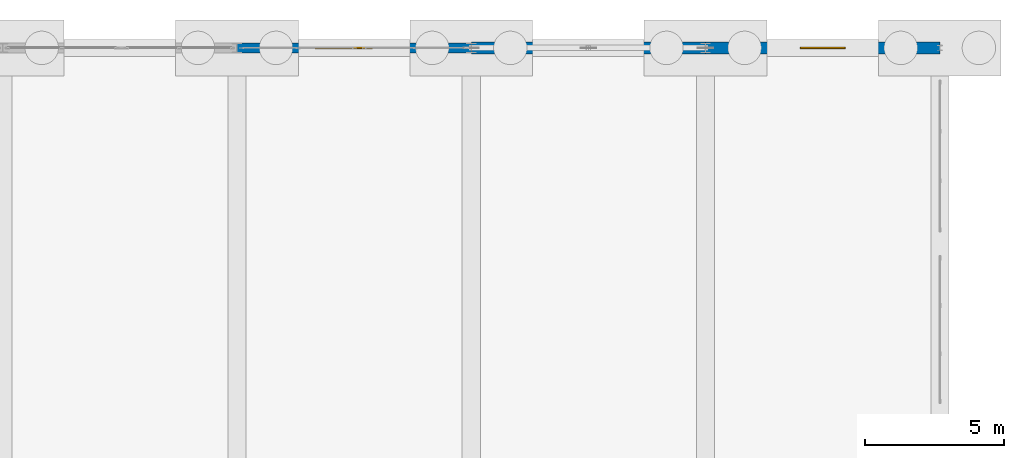
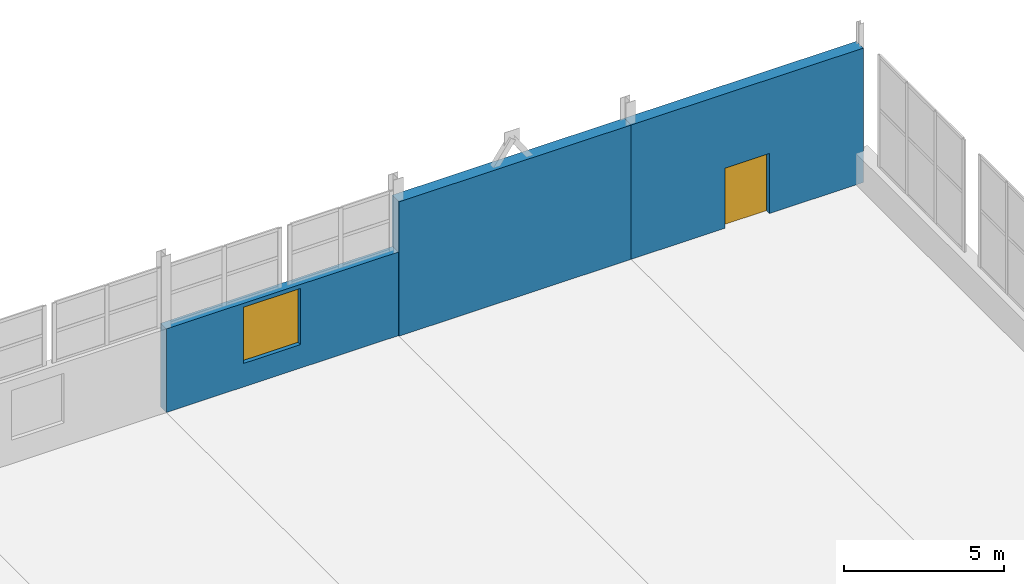
# One storey, part 131 of 139: 3 walls, 1 door, 1 window, 2 openings.
"""IFC4 building model written with IfcOpenShell, lengths in metres."""

from ifc_helpers import new_model, si_unit, direction, frame, frame_2d, origin, place, context, subcontext, project, spatial, rectangle, extrude, material, layer, layer_set, type_object, element, fill, save


model = new_model("IFC4")

# Units and contexts
model_context = context("Model", 3, precision=1e-05, world=origin(), true_north=direction((0.0, 1.0)))
body_context = subcontext(model_context, "Body", "Model", "MODEL_VIEW")
ifc_project = project(units=[si_unit("LENGTHUNIT", "METRE"), si_unit("AREAUNIT", "SQUARE_METRE"), si_unit("VOLUMEUNIT", "CUBIC_METRE"), si_unit("PLANEANGLEUNIT", "RADIAN"), si_unit("MASSUNIT", "GRAM", prefix="KILO")], contexts=[model_context])

# Site, building, storey
site_placement = place(None, origin())
site = spatial("IfcSite", under=ifc_project, at=site_placement, CompositionType="ELEMENT")
building_placement = place(site_placement, origin())
building = spatial("IfcBuilding", under=site, at=building_placement, Name="Kazenagashi Tramway Depot", CompositionType="ELEMENT")
storey_placement = place(building_placement, origin())
storey = spatial("IfcBuildingStorey", under=building, at=storey_placement, Name="L01", CompositionType="ELEMENT", Elevation=0.0)

# Wall
ifc_material_1 = material(Name="Clay Brick Masonry JIS R 1250 Class 1 (20 MPa)", Category="masonry")
ifc_layer_1 = layer(ifc_material_1, 0.43)
ifc_layer_set_1 = layer_set([ifc_layer_1], Name="Clay Brick Masonry JIS R 1250 Class 1 (20 MPa)")
wall_type_1 = type_object("IfcWallType", Name="W-BK1", PredefinedType="SOLIDWALL", material=ifc_layer_set_1)
wall_1_placement = place(storey_placement, frame((179.2, 130.0, 0.0), z_axis=(0.0, 0.0, 1.0), x_axis=(1.0, 0.0, 0.0)))
element("IfcWall", 1, at=wall_1_placement, inside=storey, type_object=wall_type_1, Name="Exterior Brick Wall W-BK1 EWALL-0047", PredefinedType="SOLIDWALL", context=body_context, shape_type="SweptSolid", body=[
    extrude(rectangle(XDim=8.4, YDim=0.43, at=frame_2d((4.2, 0.0))), origin(), (0.0, 0.0, 1.0), 5.14),
])

# Wall, opening, door
wall_2_placement = place(storey_placement, frame((187.6, 130.0, 0.0), z_axis=(0.0, 0.0, 1.0), x_axis=(1.0, 0.0, 0.0)))
wall_2 = element("IfcWall", 2, at=wall_2_placement, inside=storey, type_object=wall_type_1, Name="Exterior Brick Wall W-BK1 EWALL-0049", PredefinedType="SOLIDWALL", context=body_context, shape_type="SweptSolid", body=[
    extrude(rectangle(XDim=8.4, YDim=0.43, at=frame_2d((4.2, 0.0))), origin(), (0.0, 0.0, 1.0), 5.14),
])
opening_1_placement = place(wall_2_placement, frame((3.4, 0.0, 0.0)))
opening_1 = element("IfcOpeningElement", 3, at=opening_1_placement, cuts=wall_2, Name="Opening D-006", PredefinedType="OPENING", context=body_context, shape_type="SweptSolid", body=[
    extrude(rectangle(XDim=1.6, YDim=2.3, at=frame_2d((0.8, 1.15))), frame((0.0, 0.225, 0.0), z_axis=(0.0, -1.0, 0.0), x_axis=(1.0, 0.0, 0.0)), (0.0, 0.0, 1.0), 0.45),
])
ifc_material_2 = material(Name="Anodised Aluminium and Laminated Glass", Category="aluminium")
door_type = type_object("IfcDoorType", Name="DT-02", OperationType="NOTDEFINED", PredefinedType="DOOR", material=ifc_material_2)
door_placement = place(opening_1_placement, origin())
door = element("IfcDoor", 4, at=door_placement, inside=storey, type_object=door_type, Name="Stabling Shed Pedestrian Final Exit Door D-006", OperationType="DOUBLE_DOOR_SINGLE_SWING", OverallHeight=2.3, OverallWidth=1.6, PredefinedType="DOOR", context=body_context, shape_type="SweptSolid", body=[
    extrude(rectangle(XDim=1.6, YDim=2.3, at=frame_2d((0.8, 1.15))), frame((0.0, 0.025, 0.0), z_axis=(0.0, -1.0, 0.0), x_axis=(1.0, 0.0, 0.0)), (0.0, 0.0, 1.0), 0.05),
])
fill(opening_1, door)

# Wall, opening, window
ifc_layer_2 = layer(ifc_material_1, 0.36)
ifc_layer_set_2 = layer_set([ifc_layer_2], Name="Clay Brick Masonry JIS R 1250 Class 1 (20 MPa)")
wall_type_2 = type_object("IfcWallType", Name="W-BK2", PredefinedType="SOLIDWALL", material=ifc_layer_set_2)
wall_3_placement = place(storey_placement, frame((170.8, 130.0, 0.0), z_axis=(0.0, 0.0, 1.0), x_axis=(1.0, 0.0, 0.0)))
wall_3 = element("IfcWall", 5, at=wall_3_placement, inside=storey, type_object=wall_type_2, Name="Exterior Brick Wall W-BK2 EWALL-0046", PredefinedType="SOLIDWALL", context=body_context, shape_type="SweptSolid", body=[
    extrude(rectangle(XDim=8.4, YDim=0.36, at=frame_2d((4.2, 0.0))), origin(), (0.0, 0.0, 1.0), 3.2),
])
opening_2_placement = place(wall_3_placement, frame((2.8, 0.0, 0.9)))
opening_2 = element("IfcOpeningElement", 6, at=opening_2_placement, cuts=wall_3, Name="Opening WN-26", PredefinedType="OPENING", context=body_context, shape_type="SweptSolid", body=[
    extrude(rectangle(XDim=2.05, YDim=2.15, at=frame_2d((1.025, 1.075))), frame((0.0, 0.19, 0.0), z_axis=(0.0, -1.0, 0.0), x_axis=(1.0, 0.0, 0.0)), (0.0, 0.0, 1.0), 0.38),
])
ifc_material_3 = material(Name="Anodised Aluminium and Tempered Low-E Glass", Category="aluminium")
window_type = type_object("IfcWindowType", Name="WN-26", PartitioningType="SINGLE_PANEL", PredefinedType="WINDOW", material=ifc_material_3)
window_placement = place(opening_2_placement, origin())
window = element("IfcWindow", 7, at=window_placement, inside=storey, type_object=window_type, Name="Window WN-26 WIN-0026", OverallHeight=2.15, OverallWidth=2.05, PartitioningType="SINGLE_PANEL", PredefinedType="WINDOW", context=body_context, shape_type="SweptSolid", body=[
    extrude(rectangle(XDim=2.05, YDim=2.15, at=frame_2d((1.025, 1.075))), frame((0.0, 0.03, 0.0), z_axis=(0.0, -1.0, 0.0), x_axis=(1.0, 0.0, 0.0)), (0.0, 0.0, 1.0), 0.06),
])
fill(opening_2, window)

save(model, "model.ifc")
